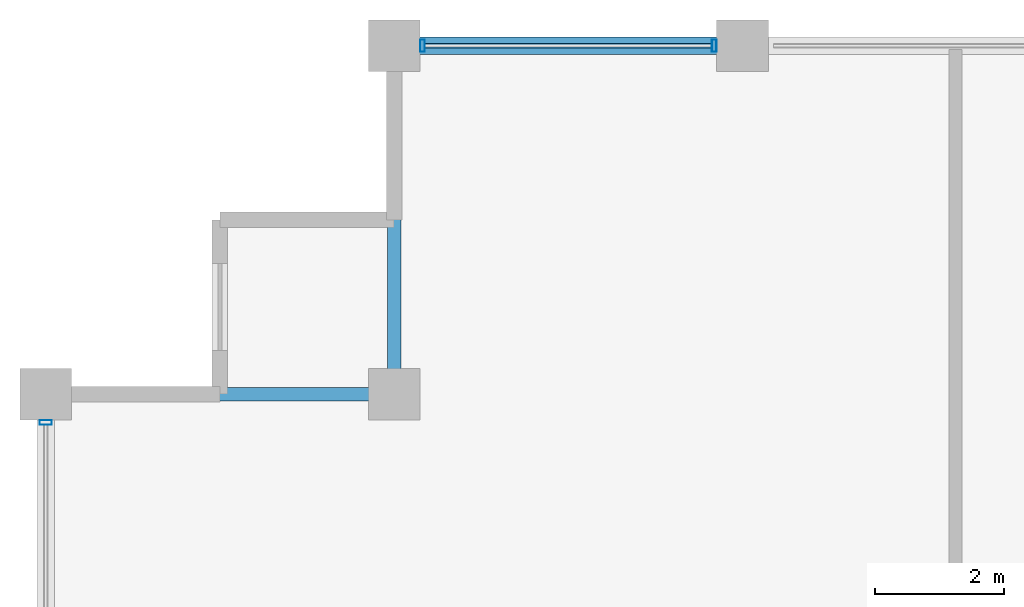
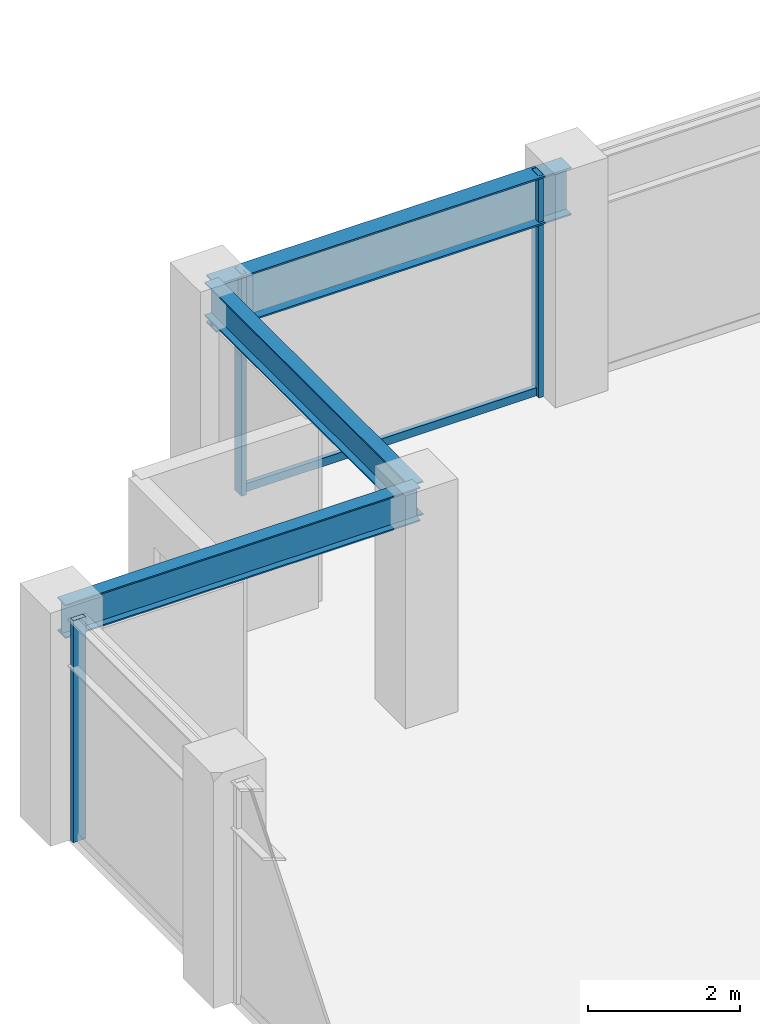
# One storey, part 18 of 32: 4 members, 3 beams, 2 elements without a shape of their own.
"""IFC4 building model written with IfcOpenShell, lengths in metres."""

from ifc_helpers import new_model, si_unit, direction, frame, origin, origin_2d, place, context, subcontext, project, spatial, hollow_rectangle, i_section, extrude, material, layer, layer_set, material_profile, profile_set, type_object, element, aggregate, save


model = new_model("IFC4")

# Units and contexts
model_context = context("Model", 3, precision=1e-05, world=origin(), true_north=direction((0.0, 1.0)))
body_context = subcontext(model_context, "Body", "Model", "MODEL_VIEW")
ifc_project = project(units=[si_unit("LENGTHUNIT", "METRE"), si_unit("AREAUNIT", "SQUARE_METRE"), si_unit("VOLUMEUNIT", "CUBIC_METRE"), si_unit("PLANEANGLEUNIT", "RADIAN"), si_unit("MASSUNIT", "GRAM", prefix="KILO")], contexts=[model_context])

# Site, building, storey
site_placement = place(None, origin())
site = spatial("IfcSite", under=ifc_project, at=site_placement, CompositionType="ELEMENT")
building_placement = place(site_placement, origin())
building = spatial("IfcBuilding", under=site, at=building_placement, Name="Surkhivell Harbour Commons", CompositionType="ELEMENT")
storey_placement = place(building_placement, frame((0.0, 0.0, 223.5)))
storey = spatial("IfcBuildingStorey", under=building, at=storey_placement, Name="L58", CompositionType="ELEMENT", Elevation=223.5)

# Beams
ifc_material_1 = material(Name="Steel S355", Category="steel")
ifc_material_profile_1 = material_profile(ifc_material_1, i_section(OverallWidth=0.2119140625, OverallDepth=0.5439453125, WebThickness=0.0126953125, FlangeThickness=0.021240234375, at=origin_2d()), Name="UB533x210x122")
ifc_profile_set_1 = profile_set([ifc_material_profile_1], Name="Steel S355")
beam_type_1 = type_object("IfcBeamType", Name="BM-GRD-533A", PredefinedType="BEAM", material=ifc_profile_set_1)
for number, where, z_axis, x_axis, name in (
    (1, (-27.0, 20.5, 3.298095703125), (1.0, 0.0, 0.0), (0.0, 1.0, 0.0), "L58 Floor Girder (-27.0,20.5)"),
    (2, (-21.60009765625, 20.5, 3.298095703125), (0.0, 1.0, 0.0), (-1.0, 0.0, 0.0), "L58 Floor Girder (-21.6,20.5)"),
):
    element("IfcBeam", number, at=place(storey_placement, frame(where, z_axis=z_axis, x_axis=x_axis)), inside=storey, type_object=beam_type_1, Name=name, PredefinedType="BEAM", context=body_context, shape_type="SweptSolid", body=[
        extrude(i_section(OverallWidth=0.2119140625, OverallDepth=0.5439453125, WebThickness=0.0126953125, FlangeThickness=0.021240234375, at=origin_2d()), origin(), (0.0, 0.0, 1.0), 5.39990234375),
    ])
ifc_material_profile_2 = material_profile(ifc_material_1, i_section(OverallWidth=0.26806640625, OverallDepth=0.77001953125, WebThickness=0.015625, FlangeThickness=0.025390625, at=origin_2d()), Name="UB762x267x197")
ifc_profile_set_2 = profile_set([ifc_material_profile_2], Name="Steel S355")
beam_type_2 = type_object("IfcBeamType", Name="BM-SPN-762", PredefinedType="SPANDREL", material=ifc_profile_set_2)
beam_placement = place(storey_placement, frame((-21.60009765625, 25.89990234375, 3.18505859375), z_axis=(1.0, 0.0, 0.0), x_axis=(0.0, 1.0, 0.0)))
element("IfcBeam", 3, at=beam_placement, inside=storey, type_object=beam_type_2, Name="L58 Tube Spandrel (-21.6,25.9)", PredefinedType="SPANDREL", context=body_context, shape_type="SweptSolid", body=[
    extrude(i_section(OverallWidth=0.26806640625, OverallDepth=0.77001953125, WebThickness=0.015625, FlangeThickness=0.025390625, at=origin_2d()), origin(), (0.0, 0.0, 1.0), 5.400146484375),
])

# Curtain wall, members
ifc_material_2 = material(Name="Anodised pale-metal aluminium and insulated glazing", Category="aluminium")
ifc_layer = layer(ifc_material_2, 0.18994140625)
ifc_layer_set = layer_set([ifc_layer], Name="Anodised pale-metal aluminium and insulated glazing")
curtain_wall_type = type_object("IfcCurtainWallType", Name="CW-SYS-Z3", PredefinedType="NOTDEFINED", material=ifc_layer_set)
curtain_wall_1_placement = place(storey_placement, origin())
curtain_wall_1 = element("IfcCurtainWall", 4, at=curtain_wall_1_placement, inside=storey, type_object=curtain_wall_type, Name="L58 Curtain Wall CW-L58-E07S2", PredefinedType="NOTDEFINED")
ifc_material_3 = material(Name="Anodised pale-metal aluminium alloy 6063-T6", Category="aluminium")
ifc_material_profile_3 = material_profile(ifc_material_3, hollow_rectangle(XDim=0.074951171875, YDim=0.18994140625, WallThickness=0.00390625, at=origin_2d()), Name="ALU-MULL-75x190")
ifc_profile_set_3 = profile_set([ifc_material_profile_3], Name="Anodised pale-metal aluminium alloy 6063-T6")
member_type_1 = type_object("IfcMemberType", Name="CWM-190", PredefinedType="MULLION", material=ifc_profile_set_3)
member_1_placement = place(storey_placement, frame((-16.639404296875, 25.89990234375, 0.0), z_axis=(0.0, 0.0, 1.0), x_axis=(-1.0, 0.0, 0.0)))
member_1 = element("IfcMember", 5, at=member_1_placement, type_object=member_type_1, Name="CW-Z3 mullion 3", PredefinedType="MULLION", context=body_context, shape_type="SweptSolid", body=[
    extrude(hollow_rectangle(XDim=0.074951171875, YDim=0.18994140625, WallThickness=0.00390625, at=origin_2d()), origin(), (0.0, 0.0, 1.0), 3.570068359375),
])
member_2_placement = place(storey_placement, frame((-21.160400390625, 25.89990234375, 0.0), z_axis=(0.0, 0.0, 1.0), x_axis=(-1.0, 0.0, 0.0)))
member_2 = element("IfcMember", 6, at=member_2_placement, type_object=member_type_1, Name="CW-Z3 mullion 4", PredefinedType="MULLION", context=body_context, shape_type="SweptSolid", body=[
    extrude(hollow_rectangle(XDim=0.074951171875, YDim=0.18994140625, WallThickness=0.00390625, at=origin_2d()), origin(), (0.0, 0.0, 1.0), 3.570068359375),
])

# Curtain wall, member
curtain_wall_2_placement = place(storey_placement, origin())
curtain_wall_2 = element("IfcCurtainWall", 7, at=curtain_wall_2_placement, inside=storey, type_object=curtain_wall_type, Name="L58 Curtain Wall CW-L58-E12S1", PredefinedType="NOTDEFINED")
member_3_placement = place(storey_placement, frame((-27.0, 20.060546875, 0.0), z_axis=(0.0, 0.0, 1.0), x_axis=(0.0, -1.0, 0.0)))
member_3 = element("IfcMember", 8, at=member_3_placement, type_object=member_type_1, Name="CW-Z3 mullion 1", PredefinedType="MULLION", context=body_context, shape_type="SweptSolid", body=[
    extrude(hollow_rectangle(XDim=0.074951171875, YDim=0.18994140625, WallThickness=0.00390625, at=origin_2d()), origin(), (0.0, 0.0, 1.0), 3.570068359375),
])
aggregate(curtain_wall_2, [member_3])

# Member
ifc_material_4 = material(Name="Champagne anodised aluminium alloy 6063-T6", Category="aluminium")
ifc_material_profile_4 = material_profile(ifc_material_4, hollow_rectangle(XDim=0.070068359375, YDim=0.1298828125, WallThickness=0.00341796875, at=origin_2d()), Name="ALU-TRAN-70x130")
ifc_profile_set_4 = profile_set([ifc_material_profile_4], Name="Champagne anodised aluminium alloy 6063-T6")
member_type_2 = type_object("IfcMemberType", Name="CWT-130", PredefinedType="USERDEFINED", material=ifc_profile_set_4)
member_4_placement = place(storey_placement, frame((-16.677001953125, 25.89990234375, 0.06494140625), z_axis=(-1.0, 0.0, 0.0), x_axis=(0.0, -1.0, 0.0)))
member_4 = element("IfcMember", 9, at=member_4_placement, type_object=member_type_2, Name="CW-Z3 transom 3.1", ObjectType="TRANSOM", PredefinedType="USERDEFINED", context=body_context, shape_type="SweptSolid", body=[
    extrude(hollow_rectangle(XDim=0.070068359375, YDim=0.1298828125, WallThickness=0.00341796875, at=origin_2d()), origin(), (0.0, 0.0, 1.0), 4.446044921875),
])

aggregate(curtain_wall_1, [member_1, member_2, member_4])

save(model, "model.ifc")
